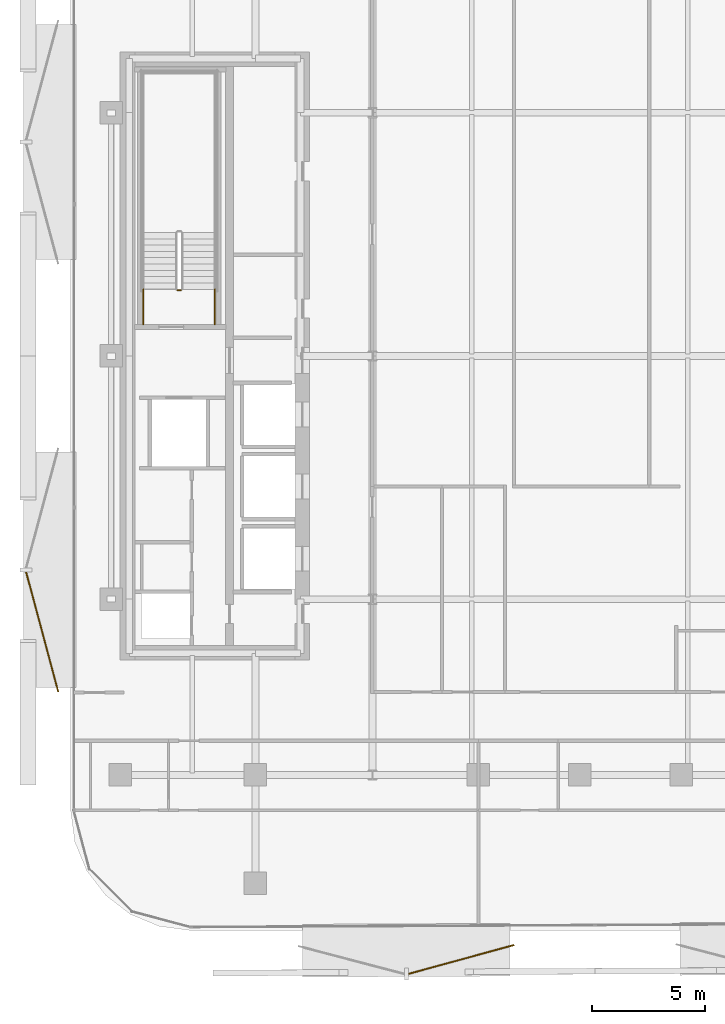
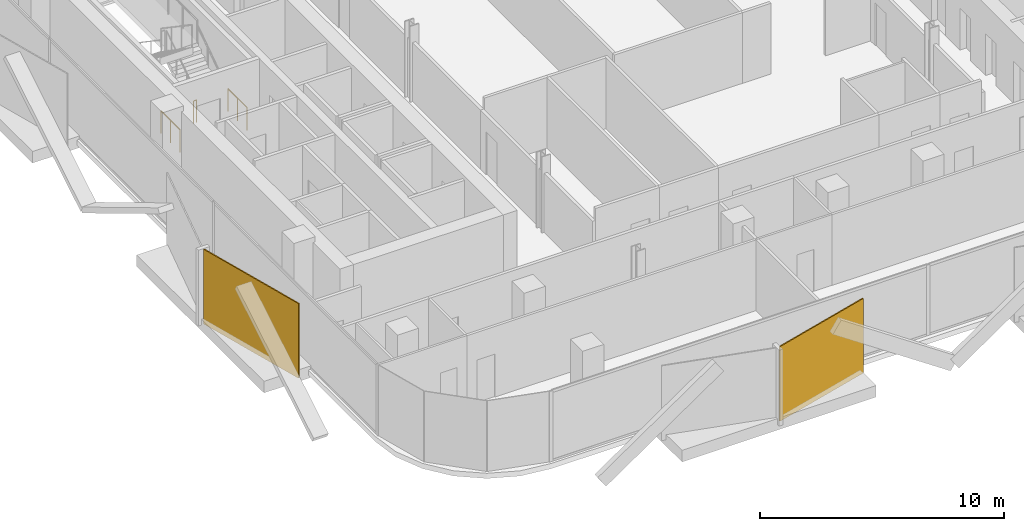
# One storey, part 12 of 16: 3 railings, 2 coverings.
"""IFC4 building model written with IfcOpenShell, lengths in metres."""

from ifc_helpers import new_model, si_unit, direction, frame, origin, origin_2d, place, context, subcontext, project, spatial, rectangle, circle, extrude, material, layer, layer_set, type_object, element, save


model = new_model("IFC4")

# Units and contexts
model_context = context("Model", 3, precision=1e-05, world=origin(), true_north=direction((0.0, 1.0)))
body_context = subcontext(model_context, "Body", "Model", "MODEL_VIEW")
ifc_project = project(units=[si_unit("LENGTHUNIT", "METRE"), si_unit("AREAUNIT", "SQUARE_METRE"), si_unit("VOLUMEUNIT", "CUBIC_METRE"), si_unit("PLANEANGLEUNIT", "RADIAN"), si_unit("MASSUNIT", "GRAM", prefix="KILO")], contexts=[model_context])

# Site, building, storey
site_placement = place(None, origin())
site = spatial("IfcSite", under=ifc_project, at=site_placement, CompositionType="ELEMENT")
building_placement = place(site_placement, origin())
building = spatial("IfcBuilding", under=site, at=building_placement, Name="Khairoan Windgate Tower", CompositionType="ELEMENT")
storey_placement = place(building_placement, frame((0.0, 0.0, 184.0)))
storey = spatial("IfcBuildingStorey", under=building, at=storey_placement, Name="L42", CompositionType="ELEMENT", Elevation=184.0)

# Coverings
ifc_material_1 = material(Name="Anodised Bronze Aluminium 6063-T6", Category="aluminium")
ifc_layer = layer(ifc_material_1, 0.054931640625, Name="Anodised Bronze Aluminium 6063-T6")
ifc_layer_set = layer_set([ifc_layer], Name="Anodised Bronze Aluminium 6063-T6")
covering_type = type_object("IfcCoveringType", Name="Perforated Bronze-Ceramic Folded Solar Screen Cladding BSC-1", PredefinedType="CLADDING", material=ifc_layer_set)
covering_1_placement = place(storey_placement, frame((-5.264404296875, -26.791748046875, -0.10009765625), z_axis=(0.0, 0.0, 1.0), x_axis=(-0.964649468762, -0.263536339841, 0.0)))
element("IfcCovering", 1, at=covering_1_placement, inside=storey, type_object=covering_type, Name="L42 Folded Bronze Solar Screen Facet 274L", PredefinedType="CLADDING", context=body_context, shape_type="SweptSolid", body=[
    extrude(rectangle(XDim=4.861083984375, YDim=0.054931640625, at=origin_2d()), origin(), (0.0, 0.0, 1.0), 3.739990234375),
])
covering_2_placement = place(storey_placement, frame((-23.8671875, -12.2451171875, -0.10009765625), z_axis=(0.0, 0.0, 1.0), x_axis=(-0.258819045103, 0.965925826289, 0.0)))
element("IfcCovering", 2, at=covering_2_placement, inside=storey, type_object=covering_type, Name="L42 Folded Bronze Solar Screen Facet 275L", PredefinedType="CLADDING", context=body_context, shape_type="SweptSolid", body=[
    extrude(rectangle(XDim=5.507080078125, YDim=0.054931640625, at=origin_2d()), origin(), (0.0, 0.0, 1.0), 3.739990234375),
])

# Railings
ifc_material_2 = material(Name="Steel S355", Category="steel")
railing_type = type_object("IfcRailingType", Name="Stairwell Safety Guardrail SGR-1150", PredefinedType="GUARDRAIL", material=ifc_material_2)
railing_placement = place(storey_placement, frame((-17.7099609375, 2.909912109375, 0.0)))
element("IfcRailing", 3, at=railing_placement, inside=storey, type_object=railing_type, Name="L42 ST2 stair guard 7", PredefinedType="GUARDRAIL", context=body_context, shape_type="SweptSolid", body=[
    extrude(circle(Radius=0.02392578125, at=origin_2d()), frame((0.0, 0.0, 1.1259765625), z_axis=(-1.0, 0.0, 0.0), x_axis=(0.0, -1.0, 0.0)), (0.0, 0.0, 1.0), 0.150146484375),
    extrude(circle(Radius=0.02099609375, at=origin_2d()), origin(), (0.0, 0.0, 1.0), 1.101806640625),
    extrude(circle(Radius=0.02099609375, at=origin_2d()), frame((-0.150146484375, 0.0, 0.0)), (0.0, 0.0, 1.0), 1.101806640625),
])
for number, where, name in (
    (4, (-16.199951171875, 1.39990234375, 0.0), "L42 ST2 stair guard 8"),
    (5, (-19.3701171875, 1.39990234375, 0.0), "L42 ST2 stair guard 9"),
):
    element("IfcRailing", number, at=place(storey_placement, frame(where)), inside=storey, type_object=railing_type, Name=name, PredefinedType="GUARDRAIL", context=body_context, shape_type="SweptSolid", body=[
        extrude(circle(Radius=0.02392578125, at=origin_2d()), frame((0.0, 0.0, 1.1259765625), z_axis=(0.0, 1.0, 0.0), x_axis=(-1.0, 0.0, 0.0)), (0.0, 0.0, 1.0), 1.56005859375),
        extrude(circle(Radius=0.02099609375, at=origin_2d()), origin(), (0.0, 0.0, 1.0), 1.101806640625),
        extrude(circle(Radius=0.02099609375, at=origin_2d()), frame((0.0, 0.780029296875, 0.0)), (0.0, 0.0, 1.0), 1.101806640625),
        extrude(circle(Radius=0.02099609375, at=origin_2d()), frame((0.0, 1.56005859375, 0.0)), (0.0, 0.0, 1.0), 1.101806640625),
    ])

save(model, "model.ifc")
